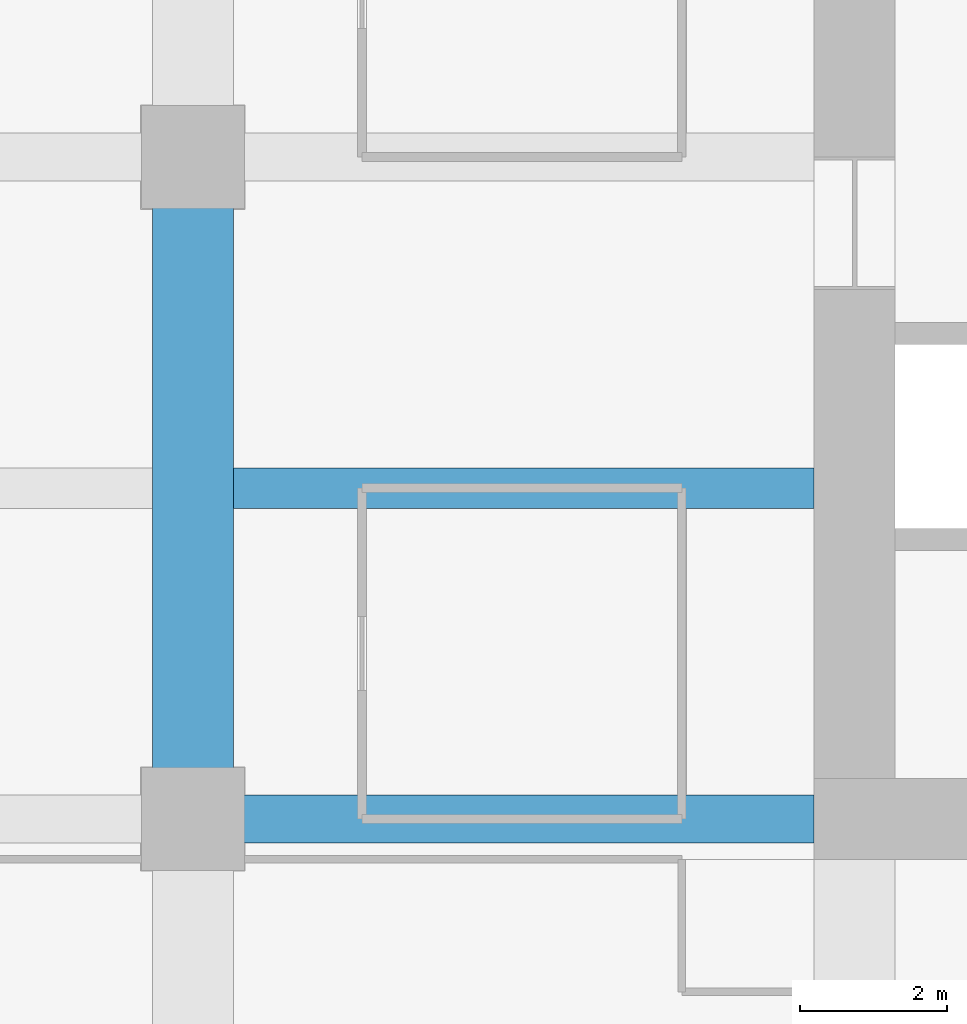
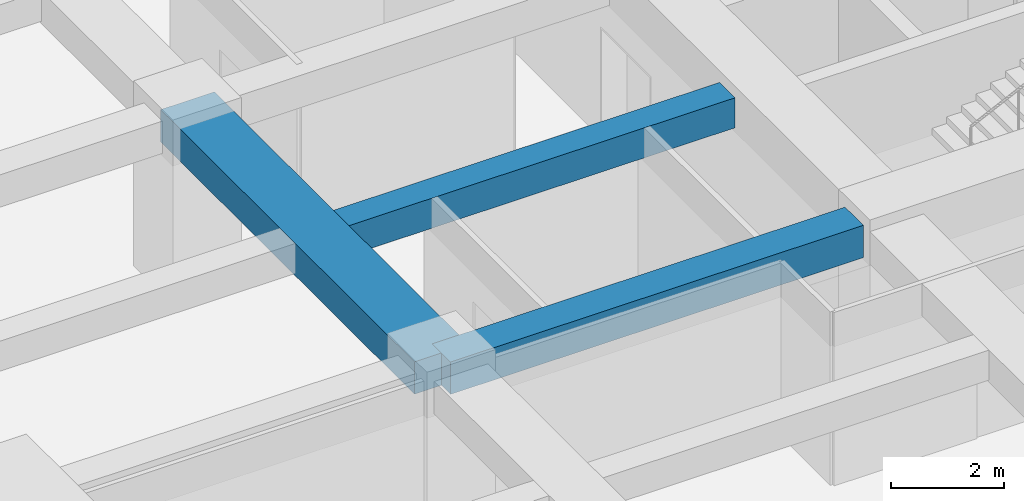
# One storey, part 10 of 32: 3 beams.
"""IFC4 building model written with IfcOpenShell, lengths in metres."""

from ifc_helpers import new_model, si_unit, direction, frame, origin, origin_2d, place, context, subcontext, project, spatial, rectangle, extrude, material, material_profile, profile_set, type_object, element, save


model = new_model("IFC4")

# Units and contexts
model_context = context("Model", 3, precision=1e-05, world=origin(), true_north=direction((0.0, 1.0)))
body_context = subcontext(model_context, "Body", "Model", "MODEL_VIEW")
ifc_project = project(units=[si_unit("LENGTHUNIT", "METRE"), si_unit("AREAUNIT", "SQUARE_METRE"), si_unit("VOLUMEUNIT", "CUBIC_METRE"), si_unit("PLANEANGLEUNIT", "RADIAN"), si_unit("MASSUNIT", "GRAM", prefix="KILO")], contexts=[model_context])

# Site, building, storey
site_placement = place(None, origin())
site = spatial("IfcSite", under=ifc_project, at=site_placement, CompositionType="ELEMENT")
building_placement = place(site_placement, origin())
building = spatial("IfcBuilding", under=site, at=building_placement, Name="Zorevar Civic Tower", CompositionType="ELEMENT")
storey_placement = place(building_placement, frame((0.0, 0.0, 202.199951171875)))
storey = spatial("IfcBuildingStorey", under=building, at=storey_placement, Name="L49", CompositionType="ELEMENT", Elevation=202.199951171875)

# Beams
ifc_material_1 = material(Name="Concrete C50/60", Category="concrete")
ifc_material_profile_1 = material_profile(ifc_material_1, rectangle(XDim=1.10009765625, YDim=0.699951171875, at=origin_2d()), Name="RC 1100x700")
ifc_profile_set_1 = profile_set([ifc_material_profile_1], Name="Concrete C50/60")
beam_type_1 = type_object("IfcBeamType", Name="Beam RC 1100x700", PredefinedType="BEAM", material=ifc_profile_set_1)
beam_1_placement = place(storey_placement, frame((9.0, 18.0, 3.400146484375), z_axis=(0.0, 1.0, 0.0), x_axis=(-1.0, 0.0, 0.0)))
element("IfcBeam", 1, at=beam_1_placement, inside=storey, type_object=beam_type_1, Name="Girder L50", PredefinedType="BEAM", context=body_context, shape_type="SweptSolid", body=[
    extrude(rectangle(XDim=1.10009765625, YDim=0.699951171875, at=origin_2d()), origin(), (0.0, 0.0, 1.0), 9.0),
])
ifc_material_2 = material(Name="Concrete C50/60", Category="concrete")
ifc_material_profile_2 = material_profile(ifc_material_2, rectangle(XDim=0.550048828125, YDim=0.64990234375, at=origin_2d()), Name="RC 550x650")
ifc_profile_set_2 = profile_set([ifc_material_profile_2], Name="Concrete C50/60")
beam_type_2 = type_object("IfcBeamType", Name="Beam RC 550x650", PredefinedType="BEAM", material=ifc_profile_set_2)
beam_2_placement = place(storey_placement, frame((9.550048828125, 22.5, 3.425048828125), z_axis=(1.0, 0.0, 0.0), x_axis=(0.0, 1.0, 0.0)))
element("IfcBeam", 2, at=beam_2_placement, inside=storey, type_object=beam_type_2, Name="Secondary beam L50", PredefinedType="BEAM", context=body_context, shape_type="SweptSolid", body=[
    extrude(rectangle(XDim=0.550048828125, YDim=0.64990234375, at=origin_2d()), origin(), (0.0, 0.0, 1.0), 7.89990234375),
])
ifc_material_3 = material(Name="Concrete C50/60", Category="concrete")
ifc_material_profile_3 = material_profile(ifc_material_3, rectangle(XDim=0.64990234375, YDim=0.699951171875, at=origin_2d()), Name="RC 650x700")
ifc_profile_set_3 = profile_set([ifc_material_profile_3], Name="Concrete C50/60")
beam_type_3 = type_object("IfcBeamType", Name="Beam RC 650x700", PredefinedType="BEAM", material=ifc_profile_set_3)
beam_3_placement = place(storey_placement, frame((9.0, 18.0, 3.400146484375), z_axis=(1.0, 0.0, 0.0), x_axis=(0.0, 1.0, 0.0)))
element("IfcBeam", 3, at=beam_3_placement, inside=storey, type_object=beam_type_3, Name="Girder L50", PredefinedType="BEAM", context=body_context, shape_type="SweptSolid", body=[
    extrude(rectangle(XDim=0.64990234375, YDim=0.699951171875, at=origin_2d()), origin(), (0.0, 0.0, 1.0), 8.449951171875),
])

save(model, "model.ifc")
